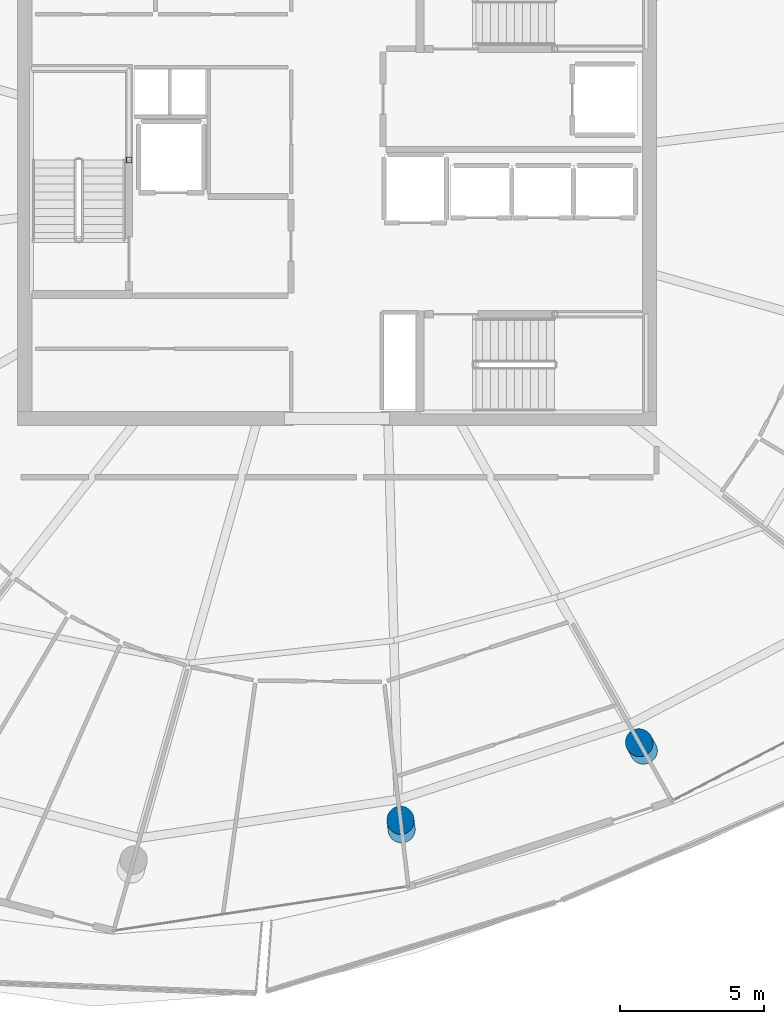
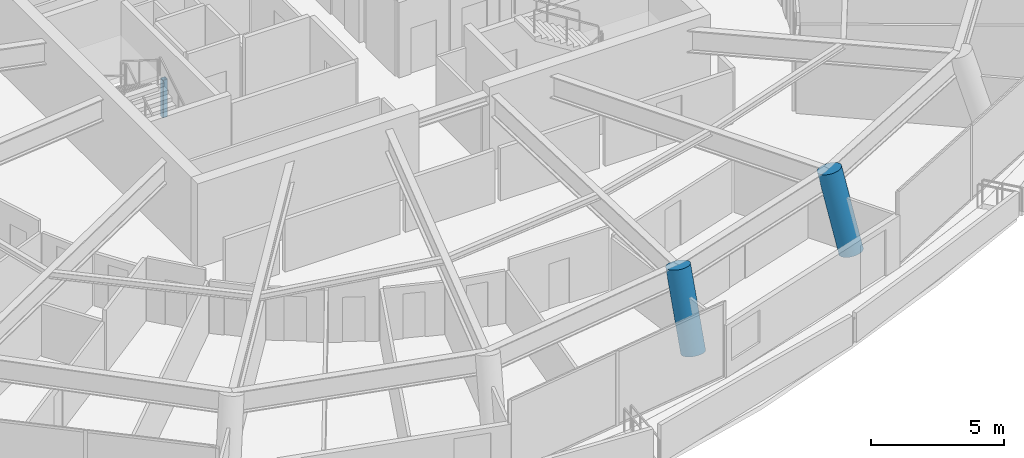
# One storey, part 2 of 30: 3 columns.
"""IFC4 building model written with IfcOpenShell, lengths in metres."""

from ifc_helpers import new_model, si_unit, direction, frame, origin, origin_2d, place, context, subcontext, project, spatial, hollow_rectangle, circle, extrude, material, material_profile, profile_set, type_object, element, save


model = new_model("IFC4")

# Units and contexts
model_context = context("Model", 3, precision=1e-05, world=origin(), true_north=direction((0.0, 1.0)))
body_context = subcontext(model_context, "Body", "Model", "MODEL_VIEW")
ifc_project = project(units=[si_unit("LENGTHUNIT", "METRE"), si_unit("AREAUNIT", "SQUARE_METRE"), si_unit("VOLUMEUNIT", "CUBIC_METRE"), si_unit("PLANEANGLEUNIT", "RADIAN"), si_unit("MASSUNIT", "GRAM", prefix="KILO")], contexts=[model_context])

# Site, building, storey
site_placement = place(None, origin())
site = spatial("IfcSite", under=ifc_project, at=site_placement, CompositionType="ELEMENT")
building_placement = place(site_placement, origin())
building = spatial("IfcBuilding", under=site, at=building_placement, Name="Kazma Halo Residences", CompositionType="ELEMENT")
storey_placement = place(building_placement, frame((0.0, 0.0, 302.14990234375)))
storey = spatial("IfcBuildingStorey", under=building, at=storey_placement, Name="L76", CompositionType="ELEMENT", Elevation=302.14990234375)

# Columns
ifc_material_1 = material(Name="Steel S355", Category="steel")
ifc_material_profile_1 = material_profile(ifc_material_1, hollow_rectangle(XDim=0.199951171875, YDim=0.199951171875, WallThickness=0.010009765625, InnerFilletRadius=0.010009765625, OuterFilletRadius=0.02001953125, at=origin_2d()), Name="SHS200x200x10")
ifc_profile_set_1 = profile_set([ifc_material_profile_1], Name="Steel S355")
column_type_1 = type_object("IfcColumnType", Name="COL-LP-SHS200", PredefinedType="COLUMN", material=ifc_profile_set_1)
column_placement = place(storey_placement, frame((41.179931640625, 42.75, 0.0), z_axis=(0.0, 0.0, 1.0), x_axis=(1.0, 0.0, 0.0)))
element("IfcColumn", 1, at=column_placement, inside=storey, type_object=column_type_1, Name="L76 ST-01 landing pilaster 1", PredefinedType="COLUMN", context=body_context, shape_type="SweptSolid", body=[
    extrude(hollow_rectangle(XDim=0.199951171875, YDim=0.199951171875, WallThickness=0.010009765625, InnerFilletRadius=0.010009765625, OuterFilletRadius=0.02001953125, at=origin_2d()), origin(), (0.0, 0.0, 1.0), 1.72021484375),
])
ifc_material_2 = material(Name="Concrete C60/75", Category="concrete")
ifc_material_profile_2 = material_profile(ifc_material_2, circle(Radius=0.47509765625, at=origin_2d()), Name="CIRC950")
ifc_profile_set_2 = profile_set([ifc_material_profile_2], Name="Concrete C60/75")
column_type_2 = type_object("IfcColumnType", Name="COL-PERIM-950", PredefinedType="COLUMN", material=ifc_profile_set_2)
for number, where, z_axis, x_axis, name in (
    (2, (50.67138671875, 19.42919921875, 0.0), (-0.031178379012, 0.263549405081, 0.964141908519), (-0.993074942207, -0.117482590885, 0.0), "L76 perimeter ring column P12"),
    (3, (59.10546875, 22.169677734375, 0.0), (-0.129626364371, 0.231553621409, 0.964147253314), (-0.872576151901, -0.488478105071, 0.0), "L76 perimeter ring column P13"),
):
    element("IfcColumn", number, at=place(storey_placement, frame(where, z_axis=z_axis, x_axis=x_axis)), inside=storey, type_object=column_type_2, Name=name, PredefinedType="COLUMN", context=body_context, shape_type="SweptSolid", body=[
        extrude(circle(Radius=0.47509765625, at=origin_2d()), origin(), (0.0, 0.0, 1.0), 3.57861328125),
    ])

save(model, "model.ifc")
